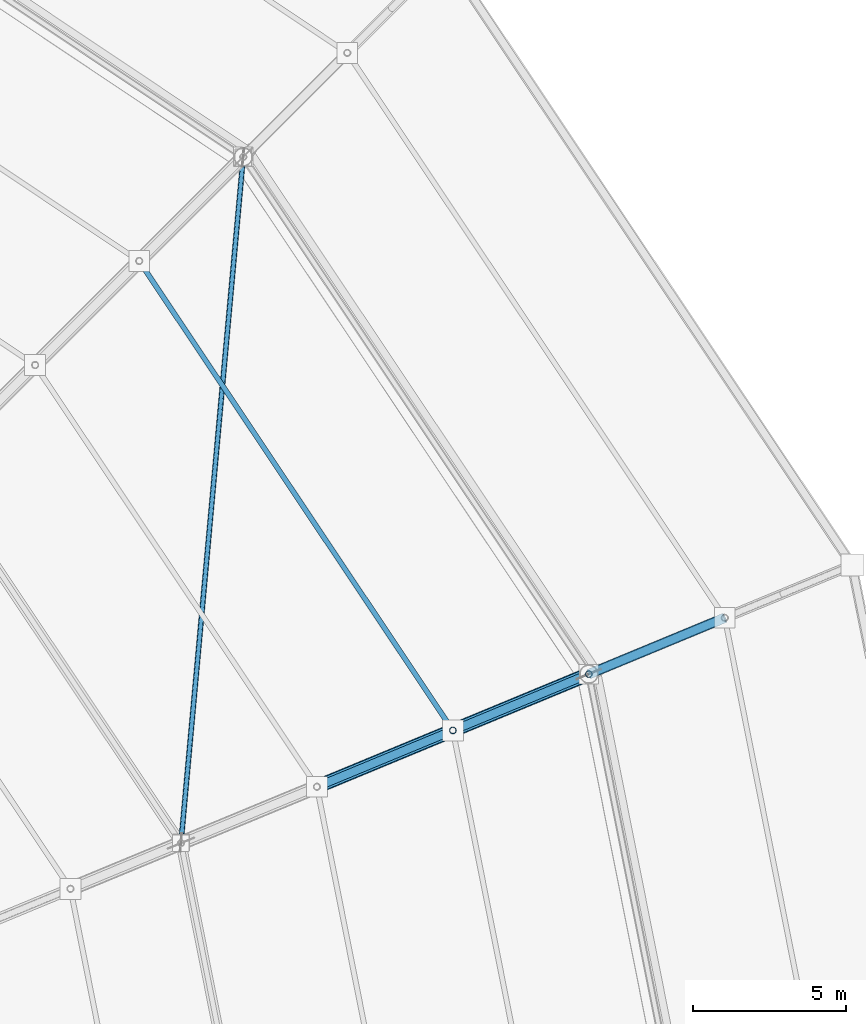
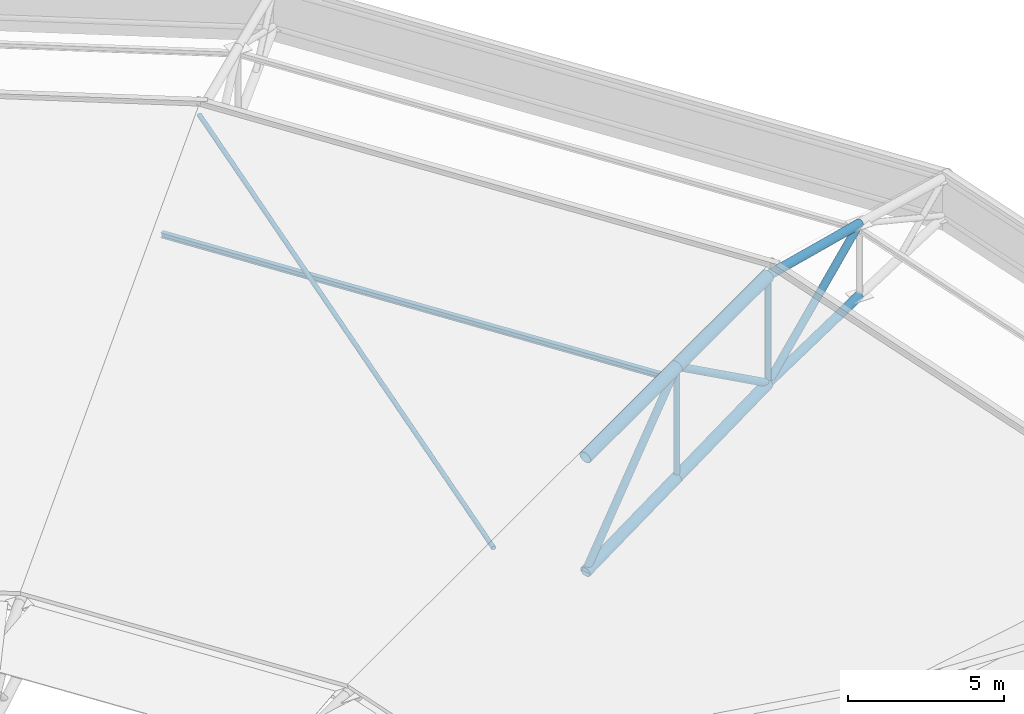
# One storey, part 82 of 146: 13 members.
"""IFC4 building model written with IfcOpenShell, lengths in metres."""

import ifcopenshell
import ifcopenshell.guid

model = None  # the IFC model being written
_history = None  # IfcOwnerHistory: only IFC2X3 demands one
_inside = {}  # id of a spatial element -> (the spatial element, [elements in it])
_under = {}  # id of a project, library or spatial element -> (it, [spatial elements below it])
_declared = {}  # id of a project -> (the project, [libraries it declares])
_typed = {}  # id of a type object -> (the type object, [elements of that type])
_made_of = {}  # id of a material, layer set ... -> (it, [elements and type objects made of it])


def new_model(schema):
    """Start an empty IFC model of exactly this schema.

    Asked for "IFC4X3", IfcOpenShell would pick the latest addendum, in which some entities
    have other attributes; the version numbers below select the first issue.
    IFC2X3 requires an IfcOwnerHistory on every rooted entity: one is made here for all.
    """
    global model, _history
    if schema == "IFC4X3":
        model = ifcopenshell.file(schema_version=(4, 3, 0, 0))
    else:
        model = ifcopenshell.file(schema=schema)
    _inside.clear()
    _under.clear()
    _declared.clear()
    _typed.clear()
    _made_of.clear()
    _history = None
    if model.schema == "IFC2X3":
        org = make("IfcOrganization", Name="unknown")
        user = make(
            "IfcPersonAndOrganization",
            ThePerson=make("IfcPerson", FamilyName="unknown"),
            TheOrganization=org,
        )
        app = make(
            "IfcApplication",
            ApplicationDeveloper=org,
            Version="unknown",
            ApplicationFullName="unknown",
            ApplicationIdentifier="unknown",
        )
        _history = make(
            "IfcOwnerHistory",
            OwningUser=user,
            OwningApplication=app,
            ChangeAction="ADDED",
            CreationDate=0,
        )
    return model


def make(cls, **values):
    """One entity of the class cls with the attributes given. An attribute that is None is left unset."""
    return model.create_entity(
        cls, **{name: value for name, value in values.items() if value is not None}
    )


def rooted(cls, **values):
    """An entity with a GlobalId (a new one), such as an element, a storey or a relation."""
    return make(cls, GlobalId=ifcopenshell.guid.new(), OwnerHistory=_history, **values)


def si_unit(unit_type, name, prefix=None):
    """IfcSIUnit, for example si_unit("LENGTHUNIT", "METRE", prefix="MILLI")."""
    return make("IfcSIUnit", UnitType=unit_type, Prefix=prefix, Name=name)


def assignment(units):
    """IfcUnitAssignment: the units of a project."""
    return None if units is None else make("IfcUnitAssignment", Units=units)


def point(xyz):
    """IfcCartesianPoint."""
    return None if xyz is None else make("IfcCartesianPoint", Coordinates=xyz)


def direction(xyz):
    """IfcDirection."""
    return None if xyz is None else make("IfcDirection", DirectionRatios=xyz)


def frame(location, z_axis=None, x_axis=None):
    """IfcAxis2Placement3D, a coordinate frame: its origin and axes. An axis left out is left unset."""
    return make(
        "IfcAxis2Placement3D",
        Location=point(location),
        Axis=direction(z_axis),
        RefDirection=direction(x_axis),
    )


def frame_2d(location, x_axis=None):
    """IfcAxis2Placement2D, a coordinate frame in the plane: its origin and x axis."""
    return make(
        "IfcAxis2Placement2D", Location=point(location), RefDirection=direction(x_axis)
    )


def origin():
    """The frame at (0, 0, 0) with its axes left unset."""
    return frame((0.0, 0.0, 0.0))


def origin_2d():
    """The frame at (0, 0) in the plane with its x axis left unset."""
    return frame_2d((0.0, 0.0))


def place(relative_to, where):
    """IfcLocalPlacement: puts the frame where relative to a parent placement (None: the world)."""
    return make(
        "IfcLocalPlacement", PlacementRelTo=relative_to, RelativePlacement=where
    )


def context(
    kind, dimensions, precision=None, world=None, true_north=None, identifier=None
):
    """IfcGeometricRepresentationContext, for example the 3D "Model" context."""
    return make(
        "IfcGeometricRepresentationContext",
        ContextIdentifier=identifier,
        ContextType=kind,
        CoordinateSpaceDimension=dimensions,
        Precision=precision,
        WorldCoordinateSystem=world,
        TrueNorth=true_north,
    )


def subcontext(parent, identifier, kind, view, scale=None):
    """IfcGeometricRepresentationSubContext, for example "Body" below "Model"."""
    return make(
        "IfcGeometricRepresentationSubContext",
        ContextIdentifier=identifier,
        ContextType=kind,
        ParentContext=parent,
        TargetScale=scale,
        TargetView=view,
    )


def project(units=None, contexts=None):
    """IfcProject with its units and contexts."""
    return rooted(
        "IfcProject",
        Name="project",
        RepresentationContexts=contexts,
        UnitsInContext=assignment(units),
    )


def spatial(cls, under=None, at=None, **own):
    """A site, building, storey or space (cls), placed at a placement, below another one or the project."""
    s = rooted(cls, ObjectPlacement=at, **own)
    if under is not None:
        _under.setdefault(under.id(), (under, []))[1].append(s)
    return s


def profile(cls, at=None, kind="AREA", **sizes):
    """A parametric profile (cls). Its sizes go by their IFC names, for example OverallWidth=200.0."""
    return make(cls, ProfileType=kind, Position=at, **sizes)


def hollow_circle(**sizes):
    """IfcCircleHollowProfileDef."""
    return profile("IfcCircleHollowProfileDef", **sizes)


def i_section(**sizes):
    """IfcIShapeProfileDef."""
    return profile("IfcIShapeProfileDef", **sizes)


def extrude(swept, where, along, depth):
    """IfcExtrudedAreaSolid: the profile swept, set in the frame where, extruded along a direction by depth."""
    return make(
        "IfcExtrudedAreaSolid",
        SweptArea=swept,
        Position=where,
        ExtrudedDirection=direction(along),
        Depth=depth,
    )


def shape(context_of_items, identifier, shape_type, items):
    """IfcShapeRepresentation: the items that make up one representation, for example the "Body"."""
    return make(
        "IfcShapeRepresentation",
        ContextOfItems=context_of_items,
        RepresentationIdentifier=identifier,
        RepresentationType=shape_type,
        Items=items,
    )


def material(Name=None, Category=None):
    """IfcMaterial."""
    return make("IfcMaterial", Name=Name, Category=Category)


def material_profile(
    of_material, cross_section, Name=None, Category=None, Priority=None
):
    """IfcMaterialProfile: a cross section and its material."""
    return make(
        "IfcMaterialProfile",
        Name=Name,
        Material=of_material,
        Profile=cross_section,
        Priority=Priority,
        Category=Category,
    )


def profile_set(profiles, Name=None, composite=None):
    """IfcMaterialProfileSet."""
    return make(
        "IfcMaterialProfileSet",
        Name=Name,
        MaterialProfiles=profiles,
        CompositeProfile=composite,
    )


def made_of(thing, what):
    """Note that an element or type object is made of a material, layer set ...; save() writes the relation."""
    if what is not None:
        _made_of.setdefault(what.id(), (what, []))[1].append(thing)
    return thing


def type_object(cls, material=None, **own):
    """A type object (cls), such as IfcWallType, which elements share."""
    return made_of(rooted(cls, **own), material)


def element(
    cls,
    number,
    at=None,
    inside=None,
    cuts=None,
    type_object=None,
    material=None,
    context=None,
    identifier="Body",
    shape_type=None,
    held_by="IfcProductDefinitionShape",
    body=None,
    shapes=None,
    **own,
):
    """One element of the class cls, such as IfcWall. Its Tag is "e" and its number.

    at: its placement. inside: the storey or other place that contains it. cuts: it is an
    opening in that element (IfcRelVoidsElement). A single representation is given by context,
    identifier, shape_type and body (its items); several are given by shapes. held_by: the class
    of the entity that holds the representations. save() writes the other relations.
    """
    e = rooted(cls, Tag="e%d" % number, ObjectPlacement=at, **own)
    if body is not None:
        shapes = [shape(context, identifier, shape_type, body)]
    if shapes is not None:
        e.Representation = make(held_by, Representations=shapes)
    if inside is not None:
        _inside.setdefault(inside.id(), (inside, []))[1].append(e)
    if cuts is not None:
        rooted(
            "IfcRelVoidsElement", RelatingBuildingElement=cuts, RelatedOpeningElement=e
        )
    if type_object is not None:
        _typed.setdefault(type_object.id(), (type_object, []))[1].append(e)
    return made_of(e, material)


def aggregate(whole, parts):
    """IfcRelAggregates: a whole, such as a stair, and the parts it consists of."""
    return rooted("IfcRelAggregates", RelatingObject=whole, RelatedObjects=parts)


def save(model, path):
    """Write the relations noted so far, then the file.

    IfcRelAggregates (storeys below a building ...), IfcRelContainedInSpatialStructure (elements
    in a storey), IfcRelDefinesByType, IfcRelAssociatesMaterial and IfcRelDeclares: one each for
    every whole, place, type object, material and project.
    """
    for whole, parts in _under.values():
        aggregate(whole, parts)
    for where, things in _inside.values():
        rooted(
            "IfcRelContainedInSpatialStructure",
            RelatedElements=things,
            RelatingStructure=where,
        )
    for kind, things in _typed.values():
        rooted("IfcRelDefinesByType", RelatedObjects=things, RelatingType=kind)
    for what, things in _made_of.values():
        rooted("IfcRelAssociatesMaterial", RelatedObjects=things, RelatingMaterial=what)
    for by, libraries in _declared.values():
        rooted("IfcRelDeclares", RelatingContext=by, RelatedDefinitions=libraries)
    model.write(path)


model = new_model("IFC4")

# Units and contexts
model_context = context("Model", 3, precision=1e-05, world=origin(), true_north=direction((0.0, 1.0)))
body_context = subcontext(model_context, "Body", "Model", "MODEL_VIEW")
ifc_project = project(units=[si_unit("LENGTHUNIT", "METRE"), si_unit("AREAUNIT", "SQUARE_METRE"), si_unit("VOLUMEUNIT", "CUBIC_METRE"), si_unit("PLANEANGLEUNIT", "RADIAN"), si_unit("MASSUNIT", "GRAM", prefix="KILO")], contexts=[model_context])

# Site, building, storey
site_placement = place(None, origin())
site = spatial("IfcSite", under=ifc_project, at=site_placement, CompositionType="ELEMENT")
building_placement = place(site_placement, origin())
building = spatial("IfcBuilding", under=site, at=building_placement, Name="Candeia Ridge Stadium", CompositionType="ELEMENT")
storey_placement = place(building_placement, frame((0.0, 0.0, 31.800048828125)))
storey = spatial("IfcBuildingStorey", under=building, at=storey_placement, Name="RF", CompositionType="ELEMENT", Elevation=31.800048828125)

# Members
ifc_material = material(Name="Steel ASTM A572 Grade 50", Category="steel")
ifc_material_profile_1 = material_profile(ifc_material, hollow_circle(Radius=0.084228515625, WallThickness=0.008056640625, at=origin_2d()), Name="CHS168x8", Category="steel")
ifc_profile_set_1 = profile_set([ifc_material_profile_1], Name="Steel ASTM A572 Grade 50")
member_type_1 = type_object("IfcMemberType", Name="Roof Plan Wind Brace CHS168x8", PredefinedType="BRACE", material=ifc_profile_set_1)
member_1_placement = place(storey_placement, frame((175.73974609375, 109.40869140625, 1.938232421875), z_axis=(0.089777547713, 0.98897960921, 0.117725632267), x_axis=(-0.995904973242, 0.090406218107, 0.0)))
element("IfcMember", 1, at=member_1_placement, inside=storey, type_object=member_type_1, Name="Roof plane wind brace bay 34", PredefinedType="BRACE", context=body_context, shape_type="SweptSolid", body=[
    extrude(hollow_circle(Radius=0.084228515625, WallThickness=0.008056640625, at=origin_2d()), origin(), (0.0, 0.0, 1.0), 22.590087890625),
])
ifc_material_profile_2 = material_profile(ifc_material, i_section(OverallWidth=0.1650390625, OverallDepth=0.200927734375, WebThickness=0.006103515625, FlangeThickness=0.01025390625, FilletRadius=0.010009765625, at=origin_2d()), Name="W200x35.9", Category="steel")
ifc_profile_set_2 = profile_set([ifc_material_profile_2], Name="Steel ASTM A572 Grade 50")
member_type_2 = type_object("IfcMemberType", Name="Roof Purlin W200x35.9", PredefinedType="PURLIN", material=ifc_profile_set_2)
member_2_placement = place(storey_placement, frame((184.579345703125, 113.104248046875, 3.19189453125), z_axis=(-0.555564228489, 0.83147362437, 0.0), x_axis=(-0.83147362437, -0.555564228489, 0.0)))
element("IfcMember", 2, at=member_2_placement, inside=storey, type_object=member_type_2, Name="Saddle roof steel purlin bay 34-4", PredefinedType="PURLIN", context=body_context, shape_type="SweptSolid", body=[
    extrude(i_section(OverallWidth=0.1650390625, OverallDepth=0.200927734375, WebThickness=0.006103515625, FlangeThickness=0.01025390625, FilletRadius=0.010009765625, at=origin_2d()), origin(), (0.0, 0.0, 1.0), 18.316650390625),
])
ifc_material_profile_3 = material_profile(ifc_material, hollow_circle(Radius=0.161865234375, WallThickness=0.012451171875, at=origin_2d()), Name="CHS323x12", Category="steel")
ifc_profile_set_3 = profile_set([ifc_material_profile_3], Name="Steel ASTM A572 Grade 50")
member_type_3 = type_object("IfcMemberType", Name="Roof Truss Eaves Chord CHS323x12", PredefinedType="CHORD", material=ifc_profile_set_3)
member_3_placement = place(storey_placement, frame((189.041748046875, 114.899658203125, 4.599853515625), z_axis=(0.915748479885, 0.379276360613, -0.132492127568), x_axis=(-0.382649779007, 0.923893471471, 0.0)))
element("IfcMember", 3, at=member_3_placement, inside=storey, type_object=member_type_3, Name="Roof cantilever truss RT-34 top chord 7", PredefinedType="CHORD", context=body_context, shape_type="SweptSolid", body=[
    extrude(hollow_circle(Radius=0.161865234375, WallThickness=0.012451171875, at=origin_2d()), origin(), (0.0, 0.0, 1.0), 4.842529296875),
])
member_4_placement = place(storey_placement, frame((189.041748046875, 114.899658203125, 0.39990234375), z_axis=(0.91276056344, 0.378038852607, 0.154773317298), x_axis=(-0.382649779007, 0.923893471471, 0.0)))
element("IfcMember", 4, at=member_4_placement, inside=storey, type_object=member_type_3, Name="Roof cantilever truss RT-34 bottom chord 7", PredefinedType="CHORD", context=body_context, shape_type="SweptSolid", body=[
    extrude(hollow_circle(Radius=0.161865234375, WallThickness=0.012451171875, at=origin_2d()), origin(), (0.0, 0.0, 1.0), 4.8583984375),
])
ifc_material_profile_4 = material_profile(ifc_material, hollow_circle(Radius=0.136474609375, WallThickness=0.010009765625, at=origin_2d()), Name="CHS273x10", Category="steel")
ifc_profile_set_4 = profile_set([ifc_material_profile_4], Name="Steel ASTM A572 Grade 50")
member_type_4 = type_object("IfcMemberType", Name="Roof Truss Heavy Web Brace CHS273x10", PredefinedType="BRACE", material=ifc_profile_set_4)
member_5_placement = place(storey_placement, frame((180.172607421875, 111.225830078125, -1.642822265625), z_axis=(0.616669163197, 0.255440364672, 0.744626996058), x_axis=(-0.382693194178, 0.923875488976, 0.0)))
element("IfcMember", 5, at=member_5_placement, inside=storey, type_object=member_type_4, Name="Roof cantilever truss RT-34 diagonal web 5", PredefinedType="BRACE", context=body_context, shape_type="SweptSolid", body=[
    extrude(hollow_circle(Radius=0.136474609375, WallThickness=0.010009765625, at=origin_2d()), origin(), (0.0, 0.0, 1.0), 7.191162109375),
])
member_6_placement = place(storey_placement, frame((184.607177734375, 113.062744140625, 3.7119140625), z_axis=(0.760420904644, 0.314986065103, -0.567929420414), x_axis=(-0.382693194178, 0.923875488976, 0.0)))
element("IfcMember", 6, at=member_6_placement, inside=storey, type_object=member_type_4, Name="Roof cantilever truss RT-34 diagonal web 6", PredefinedType="BRACE", context=body_context, shape_type="SweptSolid", body=[
    extrude(hollow_circle(Radius=0.136474609375, WallThickness=0.010009765625, at=origin_2d()), origin(), (0.0, 0.0, 1.0), 5.831787109375),
])
member_7_placement = place(storey_placement, frame((189.041748046875, 114.899658203125, 0.39990234375), z_axis=(0.742187529095, 0.307392467594, 0.595539706923), x_axis=(-0.382649779007, 0.923893471471, 0.0)))
element("IfcMember", 7, at=member_7_placement, inside=storey, type_object=member_type_4, Name="Roof cantilever truss RT-34 diagonal web 7", PredefinedType="BRACE", context=body_context, shape_type="SweptSolid", body=[
    extrude(hollow_circle(Radius=0.136474609375, WallThickness=0.010009765625, at=origin_2d()), origin(), (0.0, 0.0, 1.0), 5.97509765625),
])
ifc_material_profile_5 = material_profile(ifc_material, hollow_circle(Radius=0.109619140625, WallThickness=0.010009765625, at=origin_2d()), Name="CHS219x10", Category="steel")
ifc_profile_set_5 = profile_set([ifc_material_profile_5], Name="Steel ASTM A572 Grade 50")
member_type_5 = type_object("IfcMemberType", Name="Roof Truss Inner Web Brace CHS219x10", PredefinedType="BRACE", material=ifc_profile_set_5)
member_8_placement = place(storey_placement, frame((184.607177734375, 113.062744140625, -0.621337890625), z_axis=(0.0, 0.0, 1.0), x_axis=(1.0, 0.0, 0.0)))
element("IfcMember", 8, at=member_8_placement, inside=storey, type_object=member_type_5, Name="Roof cantilever truss RT-34 vertical post 5", PredefinedType="BRACE", context=body_context, shape_type="SweptSolid", body=[
    extrude(hollow_circle(Radius=0.109619140625, WallThickness=0.010009765625, at=origin_2d()), origin(), (0.0, 0.0, 1.0), 4.333251953125),
])
member_9_placement = place(storey_placement, frame((189.041748046875, 114.899658203125, 0.39990234375), z_axis=(0.0, 0.0, 1.0), x_axis=(1.0, 0.0, 0.0)))
element("IfcMember", 9, at=member_9_placement, inside=storey, type_object=member_type_5, Name="Roof cantilever truss RT-34 vertical post 6", PredefinedType="BRACE", context=body_context, shape_type="SweptSolid", body=[
    extrude(hollow_circle(Radius=0.109619140625, WallThickness=0.010009765625, at=origin_2d()), origin(), (0.0, 0.0, 1.0), 4.199951171875),
])
ifc_material_profile_6 = material_profile(ifc_material, hollow_circle(Radius=0.228515625, WallThickness=0.02001953125, at=origin_2d()), Name="CHS457x20", Category="steel")
ifc_profile_set_6 = profile_set([ifc_material_profile_6], Name="Steel ASTM A572 Grade 50")
member_type_6 = type_object("IfcMemberType", Name="Roof Truss Main Chord CHS457x20", PredefinedType="CHORD", material=ifc_profile_set_6)
for number, where, z_axis, x_axis, name in (
    (10, (180.172607421875, 111.225830078125, 2.823974609375), (0.908462082556, 0.376308561394, 0.181902477112), (-0.382693194178, 0.923875488976, 0.0), "Roof cantilever truss RT-34 top chord 5"),
    (11, (184.607177734375, 113.062744140625, 3.7119140625), (0.908462082556, 0.376308561394, 0.181902477112), (-0.382693194178, 0.923875488976, 0.0), "Roof cantilever truss RT-34 top chord 6"),
):
    element("IfcMember", number, at=place(storey_placement, frame(where, z_axis=z_axis, x_axis=x_axis)), inside=storey, type_object=member_type_6, Name=name, PredefinedType="CHORD", context=body_context, shape_type="SweptSolid", body=[
        extrude(hollow_circle(Radius=0.228515625, WallThickness=0.02001953125, at=origin_2d()), origin(), (0.0, 0.0, 1.0), 4.88134765625),
    ])
ifc_material_profile_7 = material_profile(ifc_material, hollow_circle(Radius=0.202880859375, WallThickness=0.01611328125, at=origin_2d()), Name="CHS406x16", Category="steel")
ifc_profile_set_7 = profile_set([ifc_material_profile_7], Name="Steel ASTM A572 Grade 50")
member_type_7 = type_object("IfcMemberType", Name="Roof Truss Outer Chord CHS406x16", PredefinedType="CHORD", material=ifc_profile_set_7)
for number, where, z_axis, x_axis, name in (
    (12, (180.172607421875, 111.225830078125, -1.642822265625), (0.903639847666, 0.374311066606, 0.208149588341), (-0.382693194178, 0.923875488976, 0.0), "Roof cantilever truss RT-34 bottom chord 5"),
    (13, (184.607177734375, 113.062744140625, -0.621337890625), (0.903649204085, 0.374314942278, 0.208101994092), (-0.382693194178, 0.923875488976, 0.0), "Roof cantilever truss RT-34 bottom chord 6"),
):
    element("IfcMember", number, at=place(storey_placement, frame(where, z_axis=z_axis, x_axis=x_axis)), inside=storey, type_object=member_type_7, Name=name, PredefinedType="CHORD", context=body_context, shape_type="SweptSolid", body=[
        extrude(hollow_circle(Radius=0.202880859375, WallThickness=0.01611328125, at=origin_2d()), origin(), (0.0, 0.0, 1.0), 4.907470703125),
    ])

save(model, "model.ifc")
